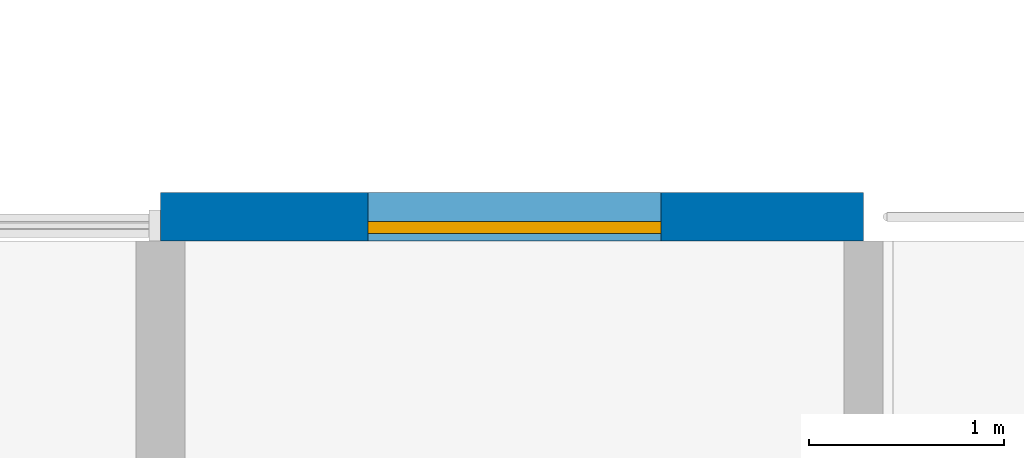
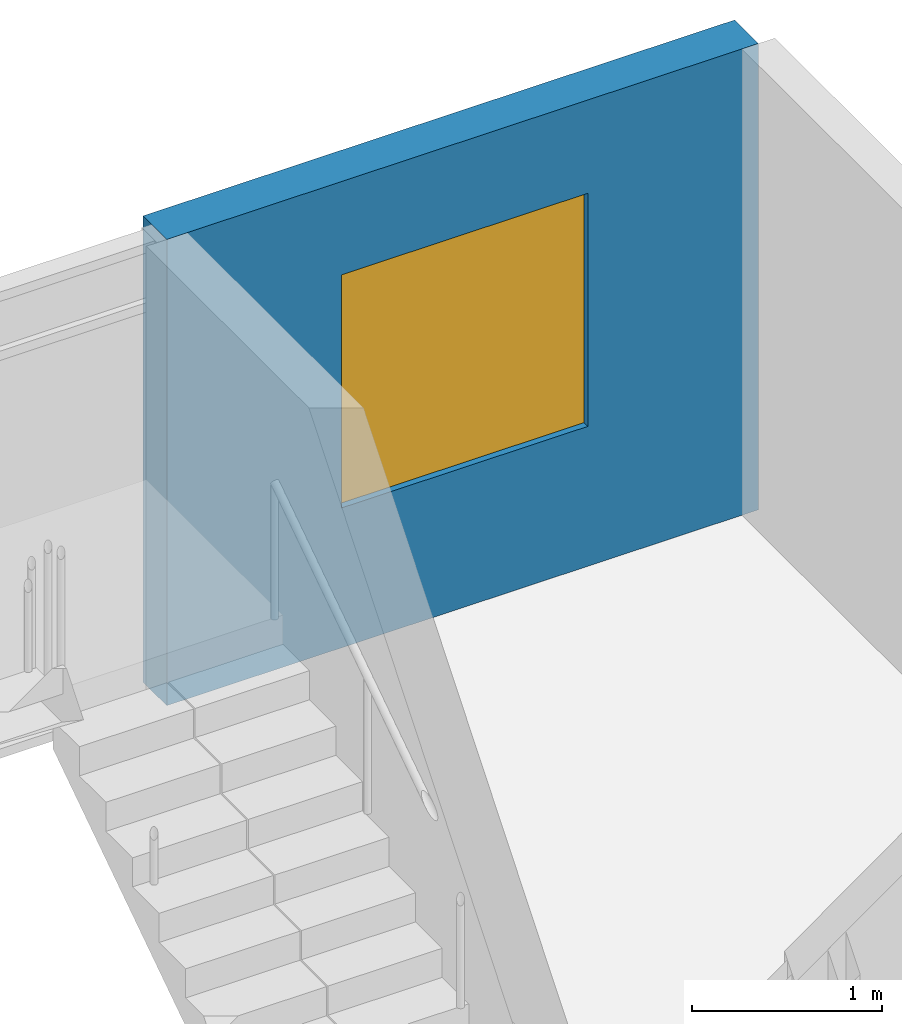
# One storey, part 59 of 94: 1 wall, 1 window, 1 opening.
"""IFC4 building model written with IfcOpenShell, lengths in metres."""

from ifc_helpers import new_model, si_unit, direction, frame, frame_2d, origin, place, context, subcontext, project, spatial, rectangle, extrude, material, layer, layer_set, type_object, element, fill, save


model = new_model("IFC4")

# Units and contexts
model_context = context("Model", 3, precision=1e-05, world=origin(), true_north=direction((0.0, 1.0)))
body_context = subcontext(model_context, "Body", "Model", "MODEL_VIEW")
ifc_project = project(units=[si_unit("LENGTHUNIT", "METRE"), si_unit("AREAUNIT", "SQUARE_METRE"), si_unit("VOLUMEUNIT", "CUBIC_METRE"), si_unit("PLANEANGLEUNIT", "RADIAN"), si_unit("MASSUNIT", "GRAM", prefix="KILO")], contexts=[model_context])

# Site, building, storey
site_placement = place(None, origin())
site = spatial("IfcSite", under=ifc_project, at=site_placement, CompositionType="ELEMENT")
building_placement = place(site_placement, origin())
building = spatial("IfcBuilding", under=site, at=building_placement, Name="Ridgestep Commons", CompositionType="ELEMENT")
storey_placement = place(building_placement, frame((0.0, 0.0, 24.0)))
storey = spatial("IfcBuildingStorey", under=building, at=storey_placement, Name="L08", CompositionType="ELEMENT", Elevation=24.0)

# Wall, opening, window
ifc_material_1 = material(Name="Precast concrete C40/50", Category="concrete")
ifc_layer = layer(ifc_material_1, 0.25)
ifc_layer_set = layer_set([ifc_layer], Name="North facade panel 250")
wall_type = type_object("IfcWallType", Name="North facade panel 250", PredefinedType="SOLIDWALL", material=ifc_layer_set)
wall_placement = place(storey_placement, frame((236.800048828125, 77.125, 0.0), z_axis=(0.0, 0.0, 1.0), x_axis=(1.0, 0.0, 0.0)))
wall = element("IfcWall", 1, at=wall_placement, inside=storey, type_object=wall_type, Name="North panel C6T3 L08", PredefinedType="SOLIDWALL", context=body_context, shape_type="SweptSolid", body=[
    extrude(rectangle(XDim=3.599853515625, YDim=0.25, at=frame_2d((1.7998046875, 0.0))), origin(), (0.0, 0.0, 1.0), 3.0),
])
opening_placement = place(wall_placement, frame((1.0625, 0.0, 0.89990234375)))
opening = element("IfcOpeningElement", 2, at=opening_placement, cuts=wall, Name="Opening W16", PredefinedType="OPENING", context=body_context, shape_type="SweptSolid", body=[
    extrude(rectangle(XDim=1.5, YDim=1.5, at=frame_2d((0.75, 0.75))), frame((0.0, 0.135009765625, 0.0), z_axis=(0.0, -1.0, 0.0), x_axis=(1.0, 0.0, 0.0)), (0.0, 0.0, 1.0), 0.27001953125),
])
ifc_material_2 = material(Name="Aluminium 6063-T6 and glass", Category="aluminium")
window_type = type_object("IfcWindowType", Name="Flat window 1500 x 1500", PartitioningType="DOUBLE_PANEL_VERTICAL", PredefinedType="WINDOW", material=ifc_material_2)
window_placement = place(opening_placement, origin())
window = element("IfcWindow", 3, at=window_placement, inside=storey, type_object=window_type, Name="Window C6-08a 2", OverallHeight=1.5, OverallWidth=1.5, PartitioningType="SINGLE_PANEL", PredefinedType="WINDOW", context=body_context, shape_type="SweptSolid", body=[
    extrude(rectangle(XDim=1.5, YDim=1.5, at=frame_2d((0.75, 0.75))), frame((0.0, -0.02490234375, 0.0), z_axis=(0.0, -1.0, 0.0), x_axis=(1.0, 0.0, 0.0)), (0.0, 0.0, 1.0), 0.06005859375),
])
fill(opening, window)

save(model, "model.ifc")
